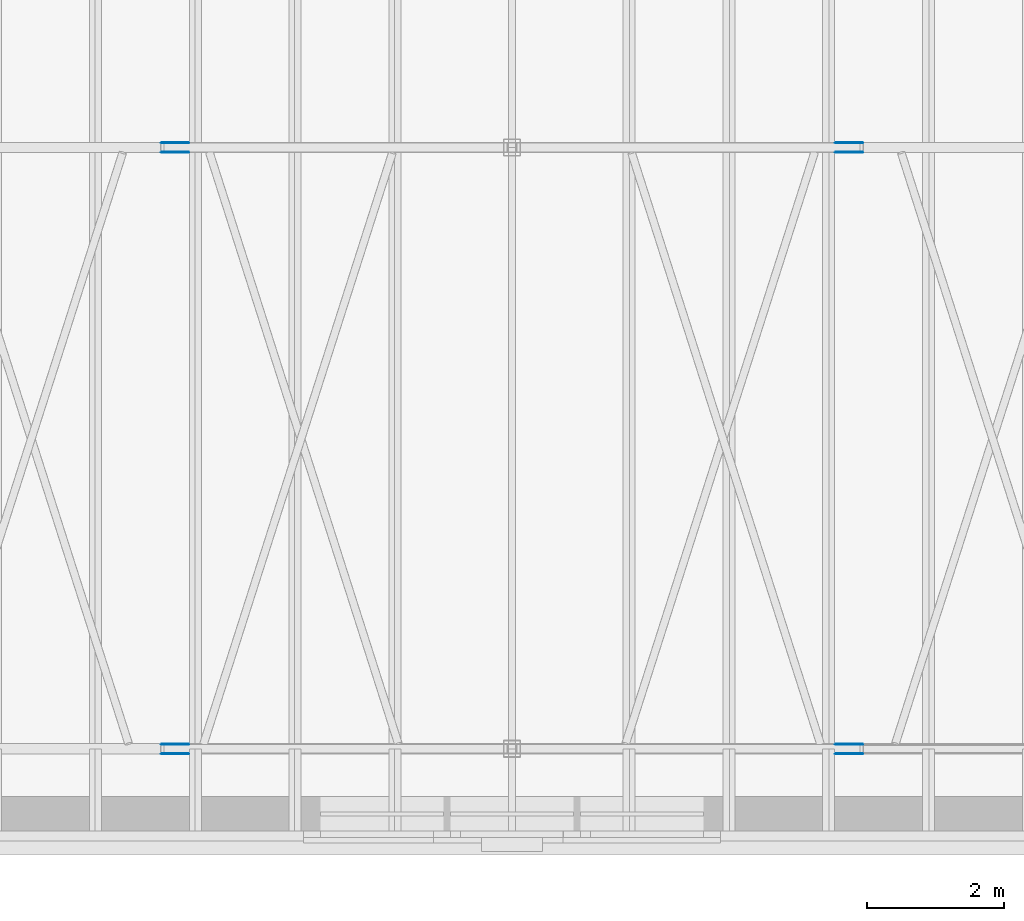
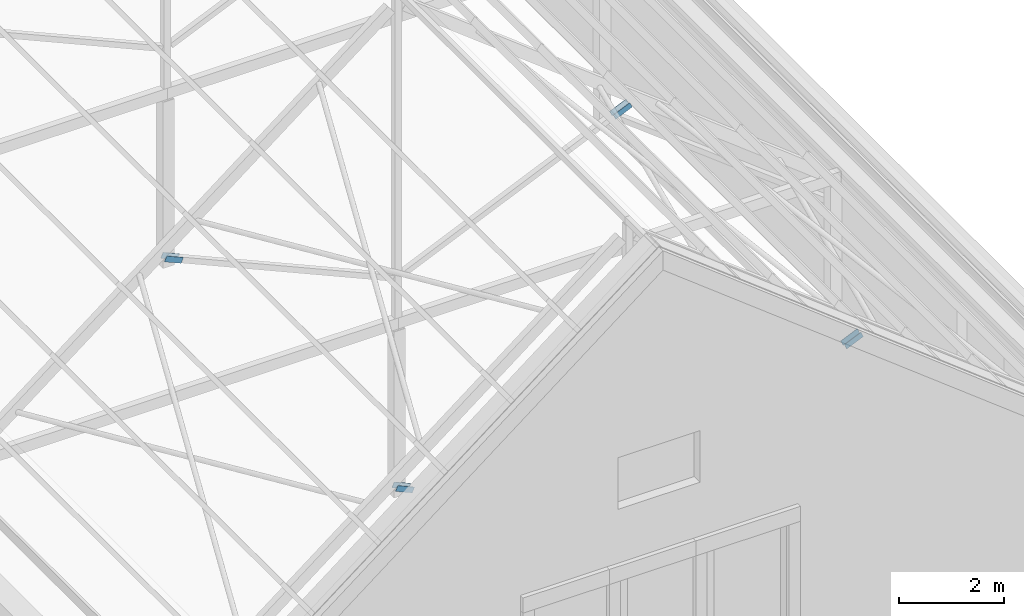
# One storey, part 96 of 127: 8 discrete accessories.
"""IFC4 building model written with IfcOpenShell, lengths in metres."""

from ifc_helpers import new_model, si_unit, direction, frame, origin, origin_2d, place, context, subcontext, project, spatial, rectangle, extrude, material, material_profile, profile_set, type_object, element, save


model = new_model("IFC4")

# Units and contexts
model_context = context("Model", 3, precision=1e-05, world=origin(), true_north=direction((0.0, 1.0)))
body_context = subcontext(model_context, "Body", "Model", "MODEL_VIEW")
ifc_project = project(units=[si_unit("LENGTHUNIT", "METRE"), si_unit("AREAUNIT", "SQUARE_METRE"), si_unit("VOLUMEUNIT", "CUBIC_METRE"), si_unit("PLANEANGLEUNIT", "RADIAN"), si_unit("MASSUNIT", "GRAM", prefix="KILO")], contexts=[model_context])

# Site, building, storey
site_placement = place(None, origin())
site = spatial("IfcSite", under=ifc_project, at=site_placement, CompositionType="ELEMENT")
building_placement = place(site_placement, origin())
building = spatial("IfcBuilding", under=site, at=building_placement, Name="Verrick Yard Athletic Hall", CompositionType="ELEMENT")
storey_placement = place(building_placement, frame((0.0, 0.0, 14.0)))
storey = spatial("IfcBuildingStorey", under=building, at=storey_placement, Name="L03", CompositionType="ELEMENT", Elevation=14.0)

# Discrete accessories
ifc_material = material(Name="Structural steel 350W (CSA G40.21)", Category="steel")
ifc_material_profile = material_profile(ifc_material, rectangle(XDim=0.39990234375, YDim=0.126953125, at=origin_2d()), Name="Brace end cheek plate")
ifc_profile_set = profile_set([ifc_material_profile], Name="Structural steel 350W (CSA G40.21)")
discrete_accessory_type = type_object("IfcDiscreteAccessoryType", Name="Brace end cheek plate 400x127x12", PredefinedType="BRACKET", material=ifc_profile_set)
for number, where, z_axis, x_axis, name in (
    (1, (93.8662109375, 73.263427734375, 7.1962890625), (0.0, 1.0, 0.0), (0.914688093773, 0.0, -0.404160476928), "Roof strut end plate 1W 1"),
    (2, (93.8662109375, 73.136474609375, 7.1962890625), (0.0, -1.0, 0.0), (0.914688093773, 0.0, -0.404160476928), "Roof strut end plate 1W 2"),
    (3, (103.73388671875, 73.136474609375, 7.1962890625), (0.0, -1.0, 0.0), (-0.914688093773, 0.0, -0.404160476928), "Roof strut end plate 1E 1"),
    (4, (103.73388671875, 73.263427734375, 7.1962890625), (0.0, 1.0, 0.0), (-0.914688093773, 0.0, -0.404160476928), "Roof strut end plate 1E 2"),
    (5, (93.8662109375, 82.0634765625, 7.1962890625), (0.0, 1.0, 0.0), (0.914688093773, 0.0, -0.404160476928), "Roof strut end plate 2W 1"),
    (6, (93.8662109375, 81.9365234375, 7.1962890625), (0.0, -1.0, 0.0), (0.914688093773, 0.0, -0.404160476928), "Roof strut end plate 2W 2"),
    (7, (103.73388671875, 81.9365234375, 7.1962890625), (0.0, -1.0, 0.0), (-0.914688093773, 0.0, -0.404160476928), "Roof strut end plate 2E 1"),
    (8, (103.73388671875, 82.0634765625, 7.1962890625), (0.0, 1.0, 0.0), (-0.914688093773, 0.0, -0.404160476928), "Roof strut end plate 2E 2"),
):
    element("IfcDiscreteAccessory", number, at=place(storey_placement, frame(where, z_axis=z_axis, x_axis=x_axis)), inside=storey, type_object=discrete_accessory_type, Name=name, PredefinedType="BRACKET", context=body_context, shape_type="SweptSolid", body=[
        extrude(rectangle(XDim=0.39990234375, YDim=0.126953125, at=origin_2d()), origin(), (0.0, 0.0, 1.0), 0.011962890625),
    ])

save(model, "model.ifc")
